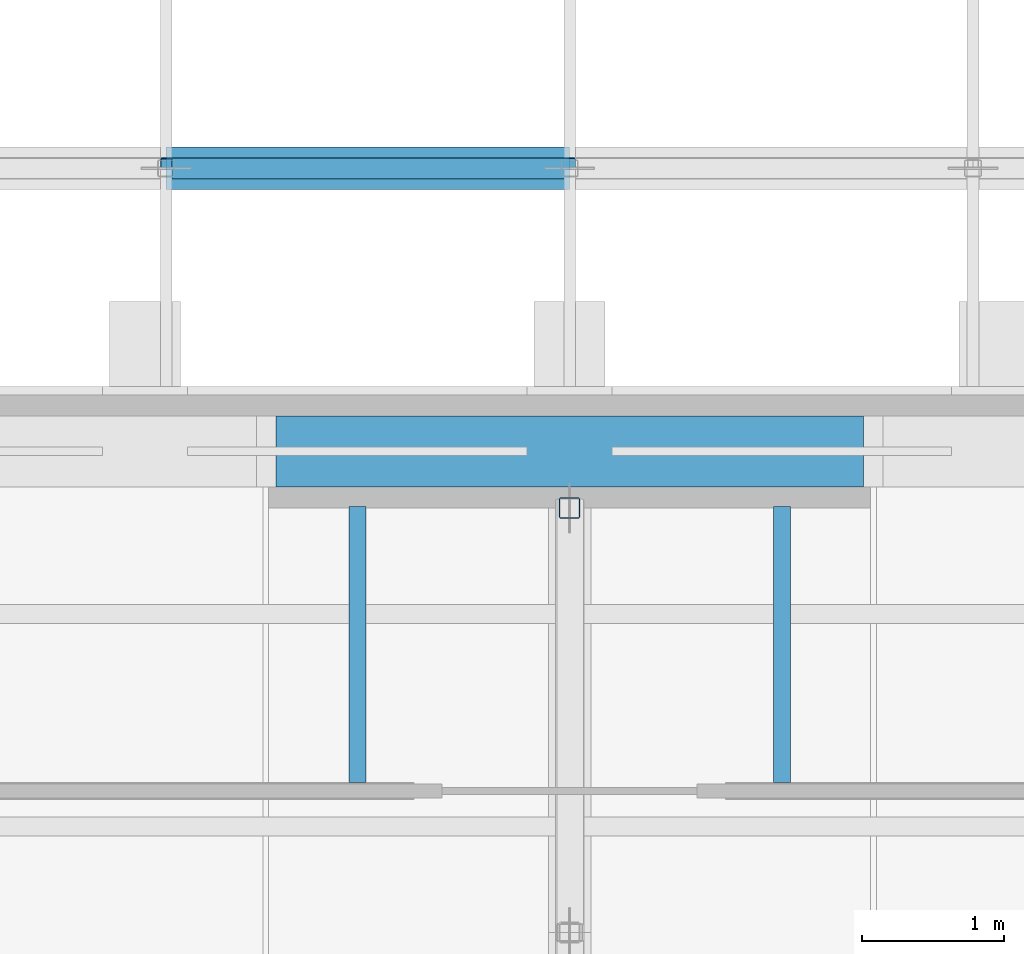
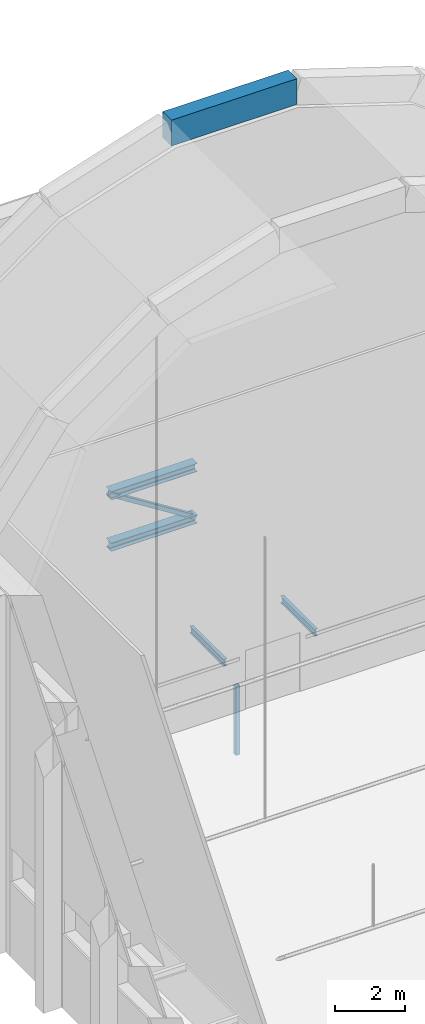
# One storey, part 34 of 55: 6 members, 1 beam.
"""IFC4 building model written with IfcOpenShell, lengths in metres."""

from ifc_helpers import new_model, si_unit, direction, frame, origin, origin_2d, place, context, subcontext, project, spatial, rectangle, hollow_rectangle, i_section, extrude, material, material_profile, profile_set, type_object, element, save


model = new_model("IFC4")

# Units and contexts
model_context = context("Model", 3, precision=1e-05, world=origin(), true_north=direction((0.0, 1.0)))
body_context = subcontext(model_context, "Body", "Model", "MODEL_VIEW")
ifc_project = project(units=[si_unit("LENGTHUNIT", "METRE"), si_unit("AREAUNIT", "SQUARE_METRE"), si_unit("VOLUMEUNIT", "CUBIC_METRE"), si_unit("PLANEANGLEUNIT", "RADIAN"), si_unit("MASSUNIT", "GRAM", prefix="KILO")], contexts=[model_context])

# Site, building, storey
site_placement = place(None, origin())
site = spatial("IfcSite", under=ifc_project, at=site_placement, CompositionType="ELEMENT")
building_placement = place(site_placement, origin())
building = spatial("IfcBuilding", under=site, at=building_placement, Name="Lunette Opera House", CompositionType="ELEMENT")
storey_placement = place(building_placement, frame((0.0, 0.0, 34.0)))
storey = spatial("IfcBuildingStorey", under=building, at=storey_placement, Name="L06", CompositionType="ELEMENT", Elevation=34.0)

# Beam
ifc_material_1 = material(Name="Concrete C40/50", Category="concrete")
ifc_material_profile_1 = material_profile(ifc_material_1, rectangle(XDim=0.5, YDim=0.89990234375, at=origin_2d()), Name="ARCH BEAM 500X900")
ifc_profile_set_1 = profile_set([ifc_material_profile_1], Name="Concrete C40/50")
beam_type = type_object("IfcBeamType", Name="ARCH BEAM 500X900", PredefinedType="BEAM", material=ifc_profile_set_1)
beam_placement = place(storey_placement, frame((93.924072265625, 120.39990234375, 19.251953125), z_axis=(1.0, 0.0, 0.0), x_axis=(0.0, 1.0, 0.0)))
element("IfcBeam", 1, at=beam_placement, inside=storey, type_object=beam_type, Name="beam-ST-L06-EAT5-4", PredefinedType="BEAM", context=body_context, shape_type="SweptSolid", body=[
    extrude(rectangle(XDim=0.5, YDim=0.89990234375, at=origin_2d()), origin(), (0.0, 0.0, 1.0), 4.15185546875),
])

# Members
ifc_material_2 = material(Name="Steel S355", Category="steel")
ifc_material_profile_2 = material_profile(ifc_material_2, i_section(OverallWidth=0.1201171875, OverallDepth=0.239990234375, WebThickness=0.006103515625, FlangeThickness=0.009765625, FilletRadius=0.014892578125, at=origin_2d()), Name="IPE 240")
ifc_profile_set_2 = profile_set([ifc_material_profile_2], Name="Steel S355")
member_type_1 = type_object("IfcMemberType", Name="BRACKET IPE 240", PredefinedType="MEMBER", material=ifc_profile_set_2)
for number, where, z_axis, x_axis, name in (
    (2, (94.5, 120.010009765625, 1.820068359375), (0.0, -1.0, 0.0), (1.0, 0.0, 0.0), "mem-ST-L06-LOFT-BKN945-1200"),
    (3, (97.5, 120.010009765625, 1.820068359375), (0.0, -1.0, 0.0), (1.0, 0.0, 0.0), "mem-ST-L06-LOFT-BKN975-1200"),
):
    element("IfcMember", number, at=place(storey_placement, frame(where, z_axis=z_axis, x_axis=x_axis)), inside=storey, type_object=member_type_1, Name=name, PredefinedType="MEMBER", context=body_context, shape_type="SweptSolid", body=[
        extrude(i_section(OverallWidth=0.1201171875, OverallDepth=0.239990234375, WebThickness=0.006103515625, FlangeThickness=0.009765625, FilletRadius=0.014892578125, at=origin_2d()), origin(), (0.0, 0.0, 1.0), 1.949951171875),
    ])
ifc_material_3 = material(Name="Steel S355", Category="steel")
ifc_material_profile_3 = material_profile(ifc_material_3, i_section(OverallWidth=0.300048828125, OverallDepth=0.2900390625, WebThickness=0.008544921875, FlangeThickness=0.013916015625, FilletRadius=0.027099609375, at=origin_2d()), Name="HEA 300")
ifc_profile_set_3 = profile_set([ifc_material_profile_3], Name="Steel S355")
member_type_2 = type_object("IfcMemberType", Name="CHORD HEA 300", PredefinedType="CHORD", material=ifc_profile_set_3)
for number, where, z_axis, x_axis, name in (
    (4, (93.14990234375, 122.39990234375, 5.574951171875), (1.0, 0.0, 0.0), (0.0, 1.0, 0.0), "mem-ST-L06-SR-TR01-TC4"),
    (5, (93.14990234375, 122.39990234375, 3.77490234375), (1.0, 0.0, 0.0), (0.0, 1.0, 0.0), "mem-ST-L06-SR-TR01-BC4"),
):
    element("IfcMember", number, at=place(storey_placement, frame(where, z_axis=z_axis, x_axis=x_axis)), inside=storey, type_object=member_type_2, Name=name, PredefinedType="CHORD", context=body_context, shape_type="SweptSolid", body=[
        extrude(i_section(OverallWidth=0.300048828125, OverallDepth=0.2900390625, WebThickness=0.008544921875, FlangeThickness=0.013916015625, FilletRadius=0.027099609375, at=origin_2d()), origin(), (0.0, 0.0, 1.0), 2.85009765625),
    ])
ifc_material_4 = material(Name="Steel S355", Category="steel")
ifc_material_profile_4 = material_profile(ifc_material_4, hollow_rectangle(XDim=0.14990234375, YDim=0.14990234375, WallThickness=0.006103515625, InnerFilletRadius=0.006103515625, OuterFilletRadius=0.011962890625, at=origin_2d()), Name="RHS 150X150X6")
ifc_profile_set_4 = profile_set([ifc_material_profile_4], Name="Steel S355")
member_type_3 = type_object("IfcMemberType", Name="DIAGONAL RHS 150X150X6", PredefinedType="BRACE", material=ifc_profile_set_4)
member_1_placement = place(storey_placement, frame((93.14990234375, 122.39990234375, 5.574951171875), z_axis=(0.845490624019, 0.0, -0.53399026648), x_axis=(0.0, 1.0, 0.0)))
element("IfcMember", 6, at=member_1_placement, inside=storey, type_object=member_type_3, Name="mem-ST-L06-SR-TR01-TD4", PredefinedType="BRACE", context=body_context, shape_type="SweptSolid", body=[
    extrude(hollow_rectangle(XDim=0.14990234375, YDim=0.14990234375, WallThickness=0.006103515625, InnerFilletRadius=0.006103515625, OuterFilletRadius=0.011962890625, at=origin_2d()), origin(), (0.0, 0.0, 1.0), 3.370849609375),
])
ifc_material_5 = material(Name="Steel S355", Category="steel")
ifc_material_profile_5 = material_profile(ifc_material_5, hollow_rectangle(XDim=0.14990234375, YDim=0.14990234375, WallThickness=0.008056640625, InnerFilletRadius=0.008056640625, OuterFilletRadius=0.01611328125, at=origin_2d()), Name="RHS 150X150X8")
ifc_profile_set_5 = profile_set([ifc_material_profile_5], Name="Steel S355")
member_type_4 = type_object("IfcMemberType", Name="VERTICAL RHS 150X150X8", PredefinedType="POST", material=ifc_profile_set_5)
member_2_placement = place(storey_placement, frame((96.0, 120.0, -3.06494140625), z_axis=(0.0, 0.0, 1.0), x_axis=(1.0, 0.0, 0.0)))
element("IfcMember", 7, at=member_2_placement, inside=storey, type_object=member_type_4, Name="mem-ST-L06-ST-TR02-TV9", PredefinedType="POST", context=body_context, shape_type="SweptSolid", body=[
    extrude(hollow_rectangle(XDim=0.14990234375, YDim=0.14990234375, WallThickness=0.008056640625, InnerFilletRadius=0.008056640625, OuterFilletRadius=0.01611328125, at=origin_2d()), origin(), (0.0, 0.0, 1.0), 2.39990234375),
])

save(model, "model.ifc")
